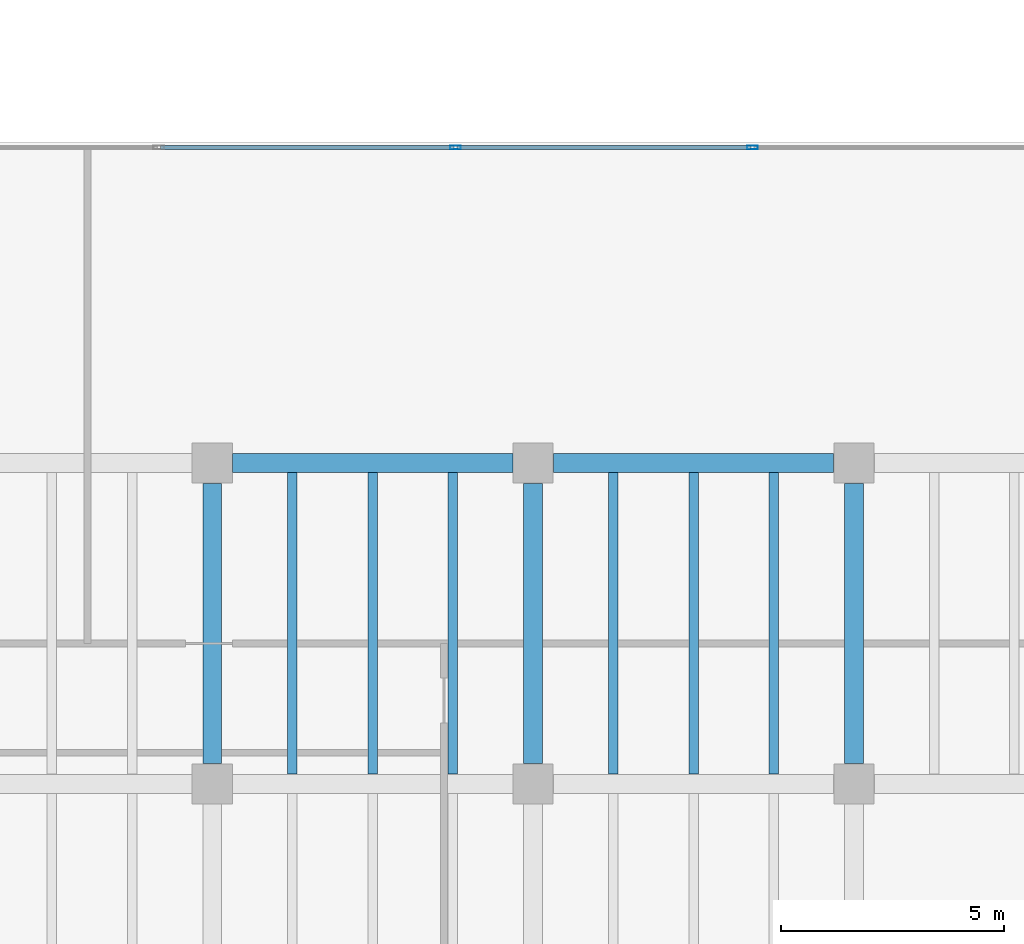
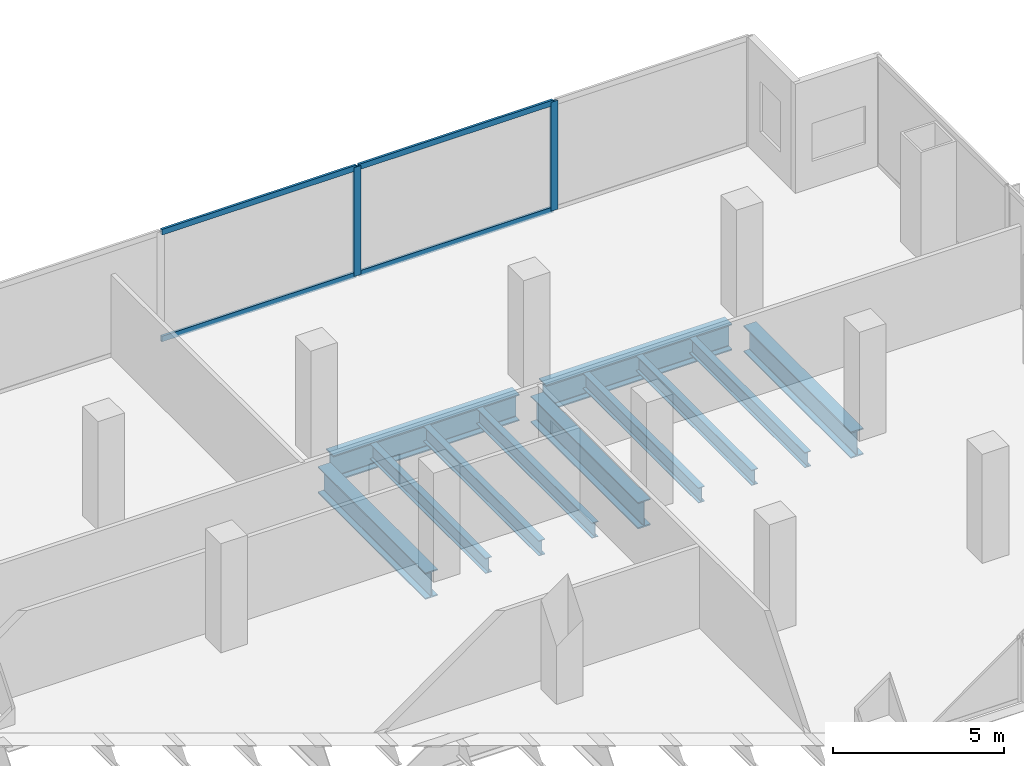
# One storey, part 19 of 31: 11 beams, 6 members, 1 element without a shape of its own.
"""IFC4 building model written with IfcOpenShell, lengths in metres."""

from ifc_helpers import new_model, si_unit, direction, frame, origin, origin_2d, place, context, subcontext, project, spatial, hollow_rectangle, i_section, extrude, material, material_profile, profile_set, type_object, element, aggregate, save


model = new_model("IFC4")

# Units and contexts
model_context = context("Model", 3, precision=1e-05, world=origin(), true_north=direction((0.0, 1.0)))
body_context = subcontext(model_context, "Body", "Model", "MODEL_VIEW")
ifc_project = project(units=[si_unit("LENGTHUNIT", "METRE"), si_unit("AREAUNIT", "SQUARE_METRE"), si_unit("VOLUMEUNIT", "CUBIC_METRE"), si_unit("PLANEANGLEUNIT", "RADIAN"), si_unit("MASSUNIT", "GRAM", prefix="KILO")], contexts=[model_context])

# Site, building, storey
site_placement = place(None, origin())
site = spatial("IfcSite", under=ifc_project, at=site_placement, CompositionType="ELEMENT")
building_placement = place(site_placement, origin())
building = spatial("IfcBuilding", under=site, at=building_placement, Name="Cobrela Telecom Tower", CompositionType="ELEMENT")
storey_placement = place(building_placement, frame((0.0, 0.0, 9.449951171875)))
storey = spatial("IfcBuildingStorey", under=building, at=storey_placement, Name="L02", CompositionType="ELEMENT", Elevation=9.449951171875)

# Beams
ifc_material_1 = material(Name="Steel ASTM A992 Grade 50", Category="steel")
ifc_material_profile_1 = material_profile(ifc_material_1, i_section(OverallWidth=0.424072265625, OverallDepth=0.947021484375, WebThickness=0.02392578125, FlangeThickness=0.042724609375, FilletRadius=0.02392578125, at=origin_2d()), Name="W36X302")
ifc_profile_set_1 = profile_set([ifc_material_profile_1], Name="Steel ASTM A992 Grade 50")
beam_type_1 = type_object("IfcBeamType", Name="BM-GIRD-01", PredefinedType="USERDEFINED", material=ifc_profile_set_1)
for number, where, z_axis, x_axis, name in (
    (1, (65.2548828125, 21.60009765625, -0.7734375), (1.0, 0.0, 0.0), (0.0, 1.0, 0.0), "L02 Primary Girder X35"),
    (2, (72.455078125, 21.60009765625, -0.7734375), (1.0, 0.0, 0.0), (0.0, 1.0, 0.0), "L02 Primary Girder X36"),
    (3, (64.800048828125, 14.85498046875, -0.7734375), (0.0, 1.0, 0.0), (-1.0, 0.0, 0.0), "L02 Primary Girder Y93"),
    (4, (72.0, 14.85498046875, -0.7734375), (0.0, 1.0, 0.0), (-1.0, 0.0, 0.0), "L02 Primary Girder Y96"),
    (5, (79.199951171875, 14.85498046875, -0.7734375), (0.0, 1.0, 0.0), (-1.0, 0.0, 0.0), "L02 Primary Girder Y99"),
):
    element("IfcBeam", number, at=place(storey_placement, frame(where, z_axis=z_axis, x_axis=x_axis)), inside=storey, type_object=beam_type_1, Name=name, ObjectType="GIRDER", PredefinedType="USERDEFINED", context=body_context, shape_type="SweptSolid", body=[
        extrude(i_section(OverallWidth=0.424072265625, OverallDepth=0.947021484375, WebThickness=0.02392578125, FlangeThickness=0.042724609375, FilletRadius=0.02392578125, at=origin_2d()), origin(), (0.0, 0.0, 1.0), 6.2900390625),
    ])
ifc_material_profile_2 = material_profile(ifc_material_1, i_section(OverallWidth=0.212890625, OverallDepth=0.549072265625, WebThickness=0.0146484375, FlangeThickness=0.023681640625, FilletRadius=0.013916015625, at=origin_2d()), Name="W21X93")
ifc_profile_set_2 = profile_set([ifc_material_profile_2], Name="Steel ASTM A992 Grade 50")
beam_type_2 = type_object("IfcBeamType", Name="BM-JOIST-01", PredefinedType="JOIST", material=ifc_profile_set_2)
for number, where, z_axis, x_axis, name in (
    (6, (66.60009765625, 14.616943359375, -0.574462890625), (0.0, 1.0, 0.0), (-1.0, 0.0, 0.0), "L02 Secondary Composite Floor Beam J120"),
    (7, (68.39990234375, 14.616943359375, -0.574462890625), (0.0, 1.0, 0.0), (-1.0, 0.0, 0.0), "L02 Secondary Composite Floor Beam J123"),
    (8, (70.199951171875, 14.616943359375, -0.574462890625), (0.0, 1.0, 0.0), (-1.0, 0.0, 0.0), "L02 Secondary Composite Floor Beam J126"),
    (9, (73.800048828125, 14.616943359375, -0.574462890625), (0.0, 1.0, 0.0), (-1.0, 0.0, 0.0), "L02 Secondary Composite Floor Beam J129"),
    (10, (75.60009765625, 14.616943359375, -0.574462890625), (0.0, 1.0, 0.0), (-1.0, 0.0, 0.0), "L02 Secondary Composite Floor Beam J132"),
    (11, (77.39990234375, 14.616943359375, -0.574462890625), (0.0, 1.0, 0.0), (-1.0, 0.0, 0.0), "L02 Secondary Composite Floor Beam J135"),
):
    element("IfcBeam", number, at=place(storey_placement, frame(where, z_axis=z_axis, x_axis=x_axis)), inside=storey, type_object=beam_type_2, Name=name, PredefinedType="JOIST", context=body_context, shape_type="SweptSolid", body=[
        extrude(i_section(OverallWidth=0.212890625, OverallDepth=0.549072265625, WebThickness=0.0146484375, FlangeThickness=0.023681640625, FilletRadius=0.013916015625, at=origin_2d()), origin(), (0.0, 0.0, 1.0), 6.76611328125),
    ])

# Curtain wall, members
ifc_material_2 = material(Name="Anodized Bronze Aluminium 6063-T6", Category="aluminium")
curtain_wall_type = type_object("IfcCurtainWallType", Name="CW-SYS-CONC", PredefinedType="USERDEFINED", material=ifc_material_2)
curtain_wall_placement = place(storey_placement, origin())
curtain_wall = element("IfcCurtainWall", 12, at=curtain_wall_placement, inside=storey, type_object=curtain_wall_type, Name="L02 Unitised Bronze Curtain Wall 11", ObjectType="UNITISED CURTAIN WALL", PredefinedType="USERDEFINED")
ifc_material_profile_3 = material_profile(ifc_material_2, hollow_rectangle(XDim=0.080078125, YDim=0.239990234375, WallThickness=0.0048828125, at=origin_2d()), Name="ALU 80x240x5")
ifc_profile_set_3 = profile_set([ifc_material_profile_3], Name="Anodized Bronze Aluminium 6063-T6")
member_type_1 = type_object("IfcMemberType", Name="CW-SYS-CONC-MUL", PredefinedType="MULLION", material=ifc_profile_set_3)
member_1_placement = place(storey_placement, frame((70.260009765625, 28.679931640625, 0.0), z_axis=(0.0, 0.0, 1.0), x_axis=(0.0, 1.0, 0.0)))
member_1 = element("IfcMember", 13, at=member_1_placement, type_object=member_type_1, Name="CW-CONC mullion 4", PredefinedType="MULLION", context=body_context, shape_type="SweptSolid", body=[
    extrude(hollow_rectangle(XDim=0.080078125, YDim=0.239990234375, WallThickness=0.0048828125, at=origin_2d()), origin(), (0.0, 0.0, 1.0), 3.900146484375),
])
member_2_placement = place(storey_placement, frame((76.919921875, 28.679931640625, 0.0), z_axis=(0.0, 0.0, 1.0), x_axis=(0.0, 1.0, 0.0)))
member_2 = element("IfcMember", 14, at=member_2_placement, type_object=member_type_1, Name="CW-CONC mullion 5", PredefinedType="MULLION", context=body_context, shape_type="SweptSolid", body=[
    extrude(hollow_rectangle(XDim=0.080078125, YDim=0.239990234375, WallThickness=0.0048828125, at=origin_2d()), origin(), (0.0, 0.0, 1.0), 3.900146484375),
])
ifc_material_profile_4 = material_profile(ifc_material_2, hollow_rectangle(XDim=0.080078125, YDim=0.199951171875, WallThickness=0.00390625, at=origin_2d()), Name="ALU 80x200x4")
ifc_profile_set_4 = profile_set([ifc_material_profile_4], Name="Anodized Bronze Aluminium 6063-T6")
member_type_2 = type_object("IfcMemberType", Name="CW-SYS-CONC-TRN", PredefinedType="USERDEFINED", material=ifc_profile_set_4)
member_3_placement = place(storey_placement, frame((63.639892578125, 28.679931640625, 0.0400390625), z_axis=(1.0, 0.0, 0.0), x_axis=(0.0, 1.0, 0.0)))
member_3 = element("IfcMember", 15, at=member_3_placement, type_object=member_type_2, Name="CW-CONC transom 3.1", ObjectType="TRANSOM", PredefinedType="USERDEFINED", context=body_context, shape_type="SweptSolid", body=[
    extrude(hollow_rectangle(XDim=0.080078125, YDim=0.199951171875, WallThickness=0.00390625, at=origin_2d()), origin(), (0.0, 0.0, 1.0), 6.580078125),
])
member_4_placement = place(storey_placement, frame((63.639892578125, 28.679931640625, 3.860107421875), z_axis=(1.0, 0.0, 0.0), x_axis=(0.0, 1.0, 0.0)))
member_4 = element("IfcMember", 16, at=member_4_placement, type_object=member_type_2, Name="CW-CONC transom 3.2", ObjectType="TRANSOM", PredefinedType="USERDEFINED", context=body_context, shape_type="SweptSolid", body=[
    extrude(hollow_rectangle(XDim=0.080078125, YDim=0.199951171875, WallThickness=0.00390625, at=origin_2d()), origin(), (0.0, 0.0, 1.0), 6.580078125),
])
member_5_placement = place(storey_placement, frame((70.300048828125, 28.679931640625, 0.0400390625), z_axis=(1.0, 0.0, 0.0), x_axis=(0.0, 1.0, 0.0)))
member_5 = element("IfcMember", 17, at=member_5_placement, type_object=member_type_2, Name="CW-CONC transom 4.1", ObjectType="TRANSOM", PredefinedType="USERDEFINED", context=body_context, shape_type="SweptSolid", body=[
    extrude(hollow_rectangle(XDim=0.080078125, YDim=0.199951171875, WallThickness=0.00390625, at=origin_2d()), origin(), (0.0, 0.0, 1.0), 6.579833984375),
])
member_6_placement = place(storey_placement, frame((70.300048828125, 28.679931640625, 3.860107421875), z_axis=(1.0, 0.0, 0.0), x_axis=(0.0, 1.0, 0.0)))
member_6 = element("IfcMember", 18, at=member_6_placement, type_object=member_type_2, Name="CW-CONC transom 4.2", ObjectType="TRANSOM", PredefinedType="USERDEFINED", context=body_context, shape_type="SweptSolid", body=[
    extrude(hollow_rectangle(XDim=0.080078125, YDim=0.199951171875, WallThickness=0.00390625, at=origin_2d()), origin(), (0.0, 0.0, 1.0), 6.579833984375),
])
aggregate(curtain_wall, [member_1, member_2, member_3, member_4, member_5, member_6])

save(model, "model.ifc")
